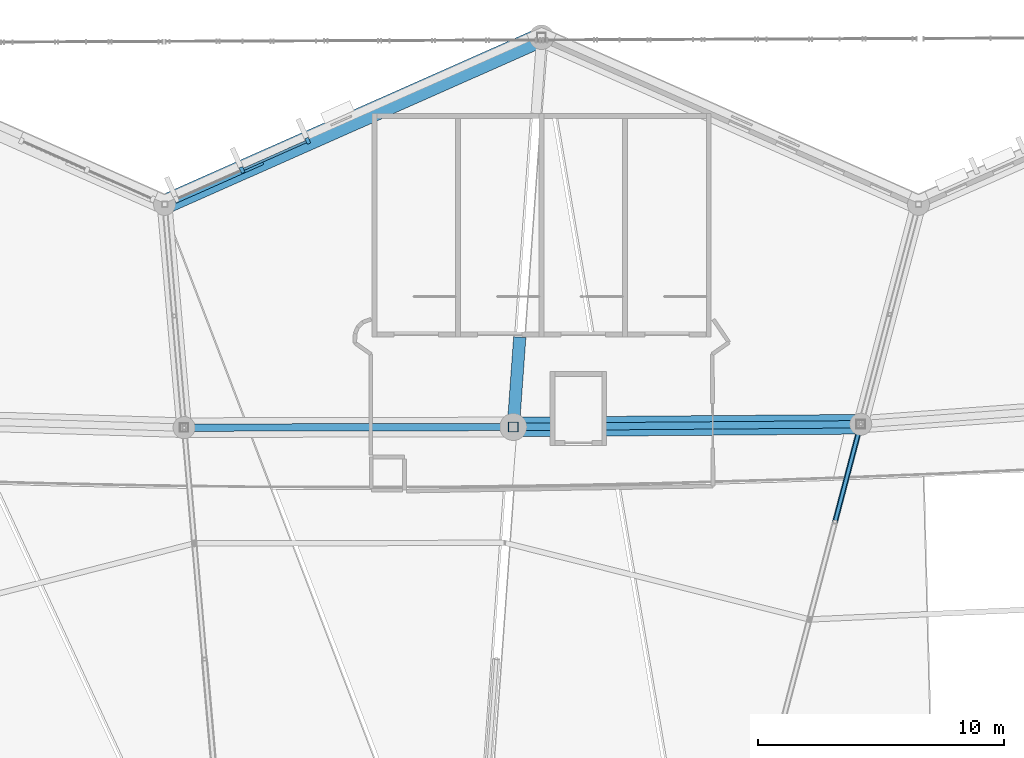
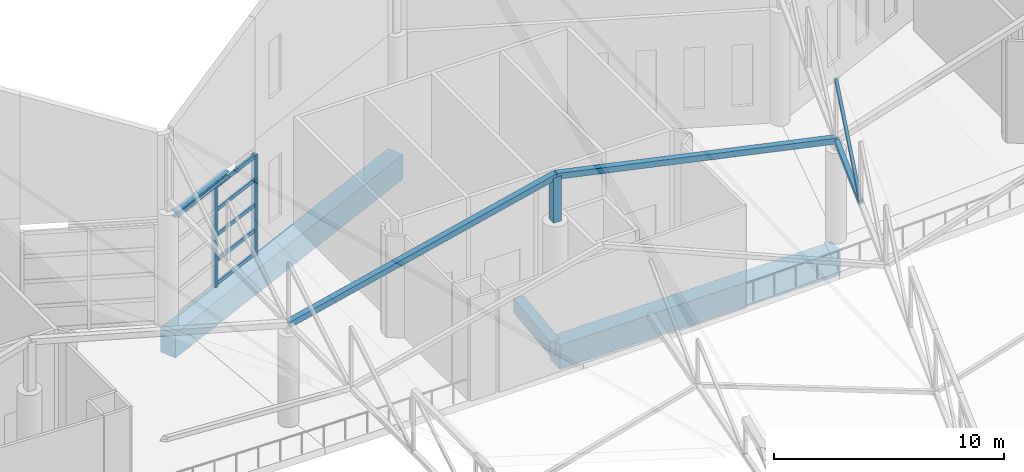
# One storey, part 169 of 344: 12 members, 4 beams, 1 element without a shape of its own.
"""IFC4 building model written with IfcOpenShell, lengths in metres."""

import ifcopenshell
import ifcopenshell.guid

model = None  # the IFC model being written
_history = None  # IfcOwnerHistory: only IFC2X3 demands one
_inside = {}  # id of a spatial element -> (the spatial element, [elements in it])
_under = {}  # id of a project, library or spatial element -> (it, [spatial elements below it])
_declared = {}  # id of a project -> (the project, [libraries it declares])
_typed = {}  # id of a type object -> (the type object, [elements of that type])
_made_of = {}  # id of a material, layer set ... -> (it, [elements and type objects made of it])


def new_model(schema):
    """Start an empty IFC model of exactly this schema.

    Asked for "IFC4X3", IfcOpenShell would pick the latest addendum, in which some entities
    have other attributes; the version numbers below select the first issue.
    IFC2X3 requires an IfcOwnerHistory on every rooted entity: one is made here for all.
    """
    global model, _history
    if schema == "IFC4X3":
        model = ifcopenshell.file(schema_version=(4, 3, 0, 0))
    else:
        model = ifcopenshell.file(schema=schema)
    _inside.clear()
    _under.clear()
    _declared.clear()
    _typed.clear()
    _made_of.clear()
    _history = None
    if model.schema == "IFC2X3":
        org = make("IfcOrganization", Name="unknown")
        user = make(
            "IfcPersonAndOrganization",
            ThePerson=make("IfcPerson", FamilyName="unknown"),
            TheOrganization=org,
        )
        app = make(
            "IfcApplication",
            ApplicationDeveloper=org,
            Version="unknown",
            ApplicationFullName="unknown",
            ApplicationIdentifier="unknown",
        )
        _history = make(
            "IfcOwnerHistory",
            OwningUser=user,
            OwningApplication=app,
            ChangeAction="ADDED",
            CreationDate=0,
        )
    return model


def make(cls, **values):
    """One entity of the class cls with the attributes given. An attribute that is None is left unset."""
    return model.create_entity(
        cls, **{name: value for name, value in values.items() if value is not None}
    )


def rooted(cls, **values):
    """An entity with a GlobalId (a new one), such as an element, a storey or a relation."""
    return make(cls, GlobalId=ifcopenshell.guid.new(), OwnerHistory=_history, **values)


def si_unit(unit_type, name, prefix=None):
    """IfcSIUnit, for example si_unit("LENGTHUNIT", "METRE", prefix="MILLI")."""
    return make("IfcSIUnit", UnitType=unit_type, Prefix=prefix, Name=name)


def assignment(units):
    """IfcUnitAssignment: the units of a project."""
    return None if units is None else make("IfcUnitAssignment", Units=units)


def point(xyz):
    """IfcCartesianPoint."""
    return None if xyz is None else make("IfcCartesianPoint", Coordinates=xyz)


def direction(xyz):
    """IfcDirection."""
    return None if xyz is None else make("IfcDirection", DirectionRatios=xyz)


def frame(location, z_axis=None, x_axis=None):
    """IfcAxis2Placement3D, a coordinate frame: its origin and axes. An axis left out is left unset."""
    return make(
        "IfcAxis2Placement3D",
        Location=point(location),
        Axis=direction(z_axis),
        RefDirection=direction(x_axis),
    )


def frame_2d(location, x_axis=None):
    """IfcAxis2Placement2D, a coordinate frame in the plane: its origin and x axis."""
    return make(
        "IfcAxis2Placement2D", Location=point(location), RefDirection=direction(x_axis)
    )


def origin():
    """The frame at (0, 0, 0) with its axes left unset."""
    return frame((0.0, 0.0, 0.0))


def origin_2d():
    """The frame at (0, 0) in the plane with its x axis left unset."""
    return frame_2d((0.0, 0.0))


def place(relative_to, where):
    """IfcLocalPlacement: puts the frame where relative to a parent placement (None: the world)."""
    return make(
        "IfcLocalPlacement", PlacementRelTo=relative_to, RelativePlacement=where
    )


def context(
    kind, dimensions, precision=None, world=None, true_north=None, identifier=None
):
    """IfcGeometricRepresentationContext, for example the 3D "Model" context."""
    return make(
        "IfcGeometricRepresentationContext",
        ContextIdentifier=identifier,
        ContextType=kind,
        CoordinateSpaceDimension=dimensions,
        Precision=precision,
        WorldCoordinateSystem=world,
        TrueNorth=true_north,
    )


def subcontext(parent, identifier, kind, view, scale=None):
    """IfcGeometricRepresentationSubContext, for example "Body" below "Model"."""
    return make(
        "IfcGeometricRepresentationSubContext",
        ContextIdentifier=identifier,
        ContextType=kind,
        ParentContext=parent,
        TargetScale=scale,
        TargetView=view,
    )


def project(units=None, contexts=None):
    """IfcProject with its units and contexts."""
    return rooted(
        "IfcProject",
        Name="project",
        RepresentationContexts=contexts,
        UnitsInContext=assignment(units),
    )


def spatial(cls, under=None, at=None, **own):
    """A site, building, storey or space (cls), placed at a placement, below another one or the project."""
    s = rooted(cls, ObjectPlacement=at, **own)
    if under is not None:
        _under.setdefault(under.id(), (under, []))[1].append(s)
    return s


def profile(cls, at=None, kind="AREA", **sizes):
    """A parametric profile (cls). Its sizes go by their IFC names, for example OverallWidth=200.0."""
    return make(cls, ProfileType=kind, Position=at, **sizes)


def rectangle(**sizes):
    """IfcRectangleProfileDef."""
    return profile("IfcRectangleProfileDef", **sizes)


def hollow_rectangle(**sizes):
    """IfcRectangleHollowProfileDef."""
    return profile("IfcRectangleHollowProfileDef", **sizes)


def i_section(**sizes):
    """IfcIShapeProfileDef."""
    return profile("IfcIShapeProfileDef", **sizes)


def extrude(swept, where, along, depth):
    """IfcExtrudedAreaSolid: the profile swept, set in the frame where, extruded along a direction by depth."""
    return make(
        "IfcExtrudedAreaSolid",
        SweptArea=swept,
        Position=where,
        ExtrudedDirection=direction(along),
        Depth=depth,
    )


def shape(context_of_items, identifier, shape_type, items):
    """IfcShapeRepresentation: the items that make up one representation, for example the "Body"."""
    return make(
        "IfcShapeRepresentation",
        ContextOfItems=context_of_items,
        RepresentationIdentifier=identifier,
        RepresentationType=shape_type,
        Items=items,
    )


def material(Name=None, Category=None):
    """IfcMaterial."""
    return make("IfcMaterial", Name=Name, Category=Category)


def layer(
    of_material, thickness, ventilated=None, Name=None, Category=None, Priority=None
):
    """IfcMaterialLayer: one layer of a wall or slab, of a material (None: an air gap)."""
    return make(
        "IfcMaterialLayer",
        Material=of_material,
        LayerThickness=thickness,
        IsVentilated=ventilated,
        Name=Name,
        Category=Category,
        Priority=Priority,
    )


def layer_set(layers, Name=None):
    """IfcMaterialLayerSet."""
    return make("IfcMaterialLayerSet", MaterialLayers=layers, LayerSetName=Name)


def material_profile(
    of_material, cross_section, Name=None, Category=None, Priority=None
):
    """IfcMaterialProfile: a cross section and its material."""
    return make(
        "IfcMaterialProfile",
        Name=Name,
        Material=of_material,
        Profile=cross_section,
        Priority=Priority,
        Category=Category,
    )


def profile_set(profiles, Name=None, composite=None):
    """IfcMaterialProfileSet."""
    return make(
        "IfcMaterialProfileSet",
        Name=Name,
        MaterialProfiles=profiles,
        CompositeProfile=composite,
    )


def made_of(thing, what):
    """Note that an element or type object is made of a material, layer set ...; save() writes the relation."""
    if what is not None:
        _made_of.setdefault(what.id(), (what, []))[1].append(thing)
    return thing


def type_object(cls, material=None, **own):
    """A type object (cls), such as IfcWallType, which elements share."""
    return made_of(rooted(cls, **own), material)


def element(
    cls,
    number,
    at=None,
    inside=None,
    cuts=None,
    type_object=None,
    material=None,
    context=None,
    identifier="Body",
    shape_type=None,
    held_by="IfcProductDefinitionShape",
    body=None,
    shapes=None,
    **own,
):
    """One element of the class cls, such as IfcWall. Its Tag is "e" and its number.

    at: its placement. inside: the storey or other place that contains it. cuts: it is an
    opening in that element (IfcRelVoidsElement). A single representation is given by context,
    identifier, shape_type and body (its items); several are given by shapes. held_by: the class
    of the entity that holds the representations. save() writes the other relations.
    """
    e = rooted(cls, Tag="e%d" % number, ObjectPlacement=at, **own)
    if body is not None:
        shapes = [shape(context, identifier, shape_type, body)]
    if shapes is not None:
        e.Representation = make(held_by, Representations=shapes)
    if inside is not None:
        _inside.setdefault(inside.id(), (inside, []))[1].append(e)
    if cuts is not None:
        rooted(
            "IfcRelVoidsElement", RelatingBuildingElement=cuts, RelatedOpeningElement=e
        )
    if type_object is not None:
        _typed.setdefault(type_object.id(), (type_object, []))[1].append(e)
    return made_of(e, material)


def aggregate(whole, parts):
    """IfcRelAggregates: a whole, such as a stair, and the parts it consists of."""
    return rooted("IfcRelAggregates", RelatingObject=whole, RelatedObjects=parts)


def save(model, path):
    """Write the relations noted so far, then the file.

    IfcRelAggregates (storeys below a building ...), IfcRelContainedInSpatialStructure (elements
    in a storey), IfcRelDefinesByType, IfcRelAssociatesMaterial and IfcRelDeclares: one each for
    every whole, place, type object, material and project.
    """
    for whole, parts in _under.values():
        aggregate(whole, parts)
    for where, things in _inside.values():
        rooted(
            "IfcRelContainedInSpatialStructure",
            RelatedElements=things,
            RelatingStructure=where,
        )
    for kind, things in _typed.values():
        rooted("IfcRelDefinesByType", RelatedObjects=things, RelatingType=kind)
    for what, things in _made_of.values():
        rooted("IfcRelAssociatesMaterial", RelatedObjects=things, RelatingMaterial=what)
    for by, libraries in _declared.values():
        rooted("IfcRelDeclares", RelatingContext=by, RelatedDefinitions=libraries)
    model.write(path)


model = new_model("IFC4")

# Units and contexts
model_context = context("Model", 3, precision=1e-05, world=origin(), true_north=direction((0.0, 1.0)))
body_context = subcontext(model_context, "Body", "Model", "MODEL_VIEW")
ifc_project = project(units=[si_unit("LENGTHUNIT", "METRE"), si_unit("AREAUNIT", "SQUARE_METRE"), si_unit("VOLUMEUNIT", "CUBIC_METRE"), si_unit("PLANEANGLEUNIT", "RADIAN"), si_unit("MASSUNIT", "GRAM", prefix="KILO")], contexts=[model_context])

# Site, building, storey
site_placement = place(None, origin())
site = spatial("IfcSite", under=ifc_project, at=site_placement, CompositionType="ELEMENT")
building_placement = place(site_placement, origin())
building = spatial("IfcBuilding", under=site, at=building_placement, Name="Meseta Stadium", CompositionType="ELEMENT")
storey_placement = place(building_placement, frame((0.0, 0.0, 24.0)))
storey = spatial("IfcBuildingStorey", under=building, at=storey_placement, Name="L04", CompositionType="ELEMENT", Elevation=24.0)

# Beam
ifc_material_1 = material(Name="Steel S355", Category="steel")
ifc_material_profile_1 = material_profile(ifc_material_1, i_section(OverallWidth=0.300048828125, OverallDepth=0.300048828125, WebThickness=0.010986328125, FlangeThickness=0.01904296875, FilletRadius=0.027099609375, at=origin_2d()), Name="HEB 300")
ifc_profile_set_1 = profile_set([ifc_material_profile_1], Name="Steel S355")
beam_type_1 = type_object("IfcBeamType", Name="Atrium lintel beam HEB 300", PredefinedType="BEAM", material=ifc_profile_set_1)
beam_1_placement = place(storey_placement, frame((-7.255615234375, 98.7822265625, 5.5), z_axis=(0.914141668721, 0.405394880959, 0.0), x_axis=(-0.405394880959, 0.914141668721, 0.0)))
element("IfcBeam", 1, at=beam_1_placement, inside=storey, type_object=beam_type_1, Name="Atrium lintel beam F18", PredefinedType="BEAM", context=body_context, shape_type="SweptSolid", body=[
    extrude(i_section(OverallWidth=0.300048828125, OverallDepth=0.300048828125, WebThickness=0.010986328125, FlangeThickness=0.01904296875, FilletRadius=0.027099609375, at=origin_2d()), origin(), (0.0, 0.0, 1.0), 3.900146484375),
])

# Curtain wall, members
ifc_material_2 = material(Name="Steel S355", Category="steel")
ifc_layer = layer(ifc_material_2, 0.300048828125)
ifc_layer_set = layer_set([ifc_layer], Name="Valley atrium curtain wall")
curtain_wall_type = type_object("IfcCurtainWallType", Name="Valley atrium curtain wall", PredefinedType="NOTDEFINED", material=ifc_layer_set)
curtain_wall_placement = place(storey_placement, origin())
curtain_wall = element("IfcCurtainWall", 2, at=curtain_wall_placement, inside=storey, type_object=curtain_wall_type, Name="Valley atrium glazing F18", PredefinedType="NOTDEFINED")
ifc_material_3 = material(Name="Steel S355", Category="steel")
ifc_material_profile_2 = material_profile(ifc_material_3, rectangle(XDim=0.25, YDim=0.14990234375, at=origin_2d()), Name="CW 250x150")
ifc_profile_set_2 = profile_set([ifc_material_profile_2], Name="Steel S355")
member_type_1 = type_object("IfcMemberType", Name="CW mullion bar 250x150", PredefinedType="MULLION", material=ifc_profile_set_2)
member_1_placement = place(storey_placement, frame((-1.83935546875, 101.184326171875, 0.0), z_axis=(0.0, 0.0, 1.0), x_axis=(0.405400794526, -0.914139046206, 0.0)))
member_1 = element("IfcMember", 3, at=member_1_placement, type_object=member_type_1, Name="CWA mullion 1", PredefinedType="MULLION", context=body_context, shape_type="SweptSolid", body=[
    extrude(rectangle(XDim=0.25, YDim=0.14990234375, at=origin_2d()), origin(), (0.0, 0.0, 1.0), 5.35009765625),
])
member_2_placement = place(storey_placement, frame((-4.51318359375, 99.99853515625, 0.0), z_axis=(0.0, 0.0, 1.0), x_axis=(0.405400794526, -0.914139046206, 0.0)))
member_2 = element("IfcMember", 4, at=member_2_placement, type_object=member_type_1, Name="CWA mullion 2", PredefinedType="MULLION", context=body_context, shape_type="SweptSolid", body=[
    extrude(rectangle(XDim=0.25, YDim=0.14990234375, at=origin_2d()), origin(), (0.0, 0.0, 1.0), 5.35009765625),
])
ifc_material_4 = material(Name="Steel S355", Category="steel")
ifc_material_profile_3 = material_profile(ifc_material_4, hollow_rectangle(XDim=0.10009765625, YDim=0.199951171875, WallThickness=0.008056640625, at=origin_2d()), Name="RHS 200x100x8")
ifc_profile_set_3 = profile_set([ifc_material_profile_3], Name="Steel S355")
member_type_2 = type_object("IfcMemberType", Name="CW transom RHS 200x100x8", PredefinedType="USERDEFINED", material=ifc_profile_set_3)
member_3_placement = place(storey_placement, frame((-1.907958984375, 101.15380859375, 0.10009765625), z_axis=(-0.914130540293, -0.405419973982, 0.0), x_axis=(0.405419973982, -0.914130540293, 0.0)))
member_3 = element("IfcMember", 5, at=member_3_placement, type_object=member_type_2, Name="CWA transom 1.1", ObjectType="TRANSOM", PredefinedType="USERDEFINED", context=body_context, shape_type="SweptSolid", body=[
    extrude(hollow_rectangle(XDim=0.10009765625, YDim=0.199951171875, WallThickness=0.008056640625, at=origin_2d()), origin(), (0.0, 0.0, 1.0), 2.77490234375),
])
member_4_placement = place(storey_placement, frame((-1.907958984375, 101.15380859375, 1.33740234375), z_axis=(-0.914130540293, -0.405419973982, 0.0), x_axis=(0.405419973982, -0.914130540293, 0.0)))
member_4 = element("IfcMember", 6, at=member_4_placement, type_object=member_type_2, Name="CWA transom 1.2", ObjectType="TRANSOM", PredefinedType="USERDEFINED", context=body_context, shape_type="SweptSolid", body=[
    extrude(hollow_rectangle(XDim=0.10009765625, YDim=0.199951171875, WallThickness=0.008056640625, at=origin_2d()), origin(), (0.0, 0.0, 1.0), 2.77490234375),
])
member_5_placement = place(storey_placement, frame((-1.907958984375, 101.15380859375, 2.675048828125), z_axis=(-0.914130540293, -0.405419973982, 0.0), x_axis=(0.405419973982, -0.914130540293, 0.0)))
member_5 = element("IfcMember", 7, at=member_5_placement, type_object=member_type_2, Name="CWA transom 1.3", ObjectType="TRANSOM", PredefinedType="USERDEFINED", context=body_context, shape_type="SweptSolid", body=[
    extrude(hollow_rectangle(XDim=0.10009765625, YDim=0.199951171875, WallThickness=0.008056640625, at=origin_2d()), origin(), (0.0, 0.0, 1.0), 2.77490234375),
])
member_6_placement = place(storey_placement, frame((-1.907958984375, 101.15380859375, 4.012451171875), z_axis=(-0.914130540293, -0.405419973982, 0.0), x_axis=(0.405419973982, -0.914130540293, 0.0)))
member_6 = element("IfcMember", 8, at=member_6_placement, type_object=member_type_2, Name="CWA transom 1.4", ObjectType="TRANSOM", PredefinedType="USERDEFINED", context=body_context, shape_type="SweptSolid", body=[
    extrude(hollow_rectangle(XDim=0.10009765625, YDim=0.199951171875, WallThickness=0.008056640625, at=origin_2d()), origin(), (0.0, 0.0, 1.0), 2.77490234375),
])
member_7_placement = place(storey_placement, frame((-1.907958984375, 101.15380859375, 5.25), z_axis=(-0.914130540293, -0.405419973982, 0.0), x_axis=(0.405419973982, -0.914130540293, 0.0)))
member_7 = element("IfcMember", 9, at=member_7_placement, type_object=member_type_2, Name="CWA transom 1.5", ObjectType="TRANSOM", PredefinedType="USERDEFINED", context=body_context, shape_type="SweptSolid", body=[
    extrude(hollow_rectangle(XDim=0.10009765625, YDim=0.199951171875, WallThickness=0.008056640625, at=origin_2d()), origin(), (0.0, 0.0, 1.0), 2.77490234375),
])
aggregate(curtain_wall, [member_1, member_2, member_3, member_4, member_5, member_6, member_7])

# Beams
ifc_material_5 = material(Name="Concrete C40/50", Category="concrete")
ifc_material_profile_4 = material_profile(ifc_material_5, rectangle(XDim=0.5, YDim=0.75, at=origin_2d()), Name="RC 500x750")
ifc_profile_set_4 = profile_set([ifc_material_profile_4], Name="Concrete C40/50")
beam_type_2 = type_object("IfcBeamType", Name="RC beam 500x750", PredefinedType="BEAM", material=ifc_profile_set_4)
beam_2_placement = place(storey_placement, frame((6.51708984375, 89.54638671875, -0.77490234375), z_axis=(0.072312695021, 0.997382010134, 0.0), x_axis=(-0.997382010134, 0.072312695021, 0.0)))
element("IfcBeam", 10, at=beam_2_placement, inside=storey, type_object=beam_type_2, Name="L04 radial beam frame 18 line P to R", PredefinedType="BEAM", context=body_context, shape_type="SweptSolid", body=[
    extrude(rectangle(XDim=0.5, YDim=0.75, at=origin_2d()), origin(), (0.0, 0.0, 1.0), 3.6630859375),
])
ifc_material_6 = material(Name="Concrete C40/50", Category="concrete")
ifc_material_profile_5 = material_profile(ifc_material_6, rectangle(XDim=0.800048828125, YDim=1.300048828125, at=origin_2d()), Name="RC 800x1300")
ifc_profile_set_5 = profile_set([ifc_material_profile_5], Name="Concrete C40/50")
beam_type_3 = type_object("IfcBeamType", Name="RC beam 800x1300", PredefinedType="BEAM", material=ifc_profile_set_5)
beam_3_placement = place(storey_placement, frame((20.649658203125, 89.65625, -1.050048828125), z_axis=(-0.999969785649, -0.007773531251, 0.0), x_axis=(0.007773531251, -0.999969785649, 0.0)))
element("IfcBeam", 11, at=beam_3_placement, inside=storey, type_object=beam_type_3, Name="L04 ring beam frame 17 line P", PredefinedType="BEAM", context=body_context, shape_type="SweptSolid", body=[
    extrude(rectangle(XDim=0.800048828125, YDim=1.300048828125, at=origin_2d()), origin(), (0.0, 0.0, 1.0), 14.133056640625),
])
beam_4_placement = place(storey_placement, frame((7.666748046875, 105.39990234375, -1.050048828125), z_axis=(-0.914144956099, -0.405387468033, 0.0), x_axis=(0.405387468033, -0.914144956099, 0.0)))
element("IfcBeam", 12, at=beam_4_placement, inside=storey, type_object=beam_type_3, Name="L04 ring beam frame 18 line R", PredefinedType="BEAM", context=body_context, shape_type="SweptSolid", body=[
    extrude(rectangle(XDim=0.800048828125, YDim=1.300048828125, at=origin_2d()), origin(), (0.0, 0.0, 1.0), 16.773681640625),
])

# Members
ifc_material_7 = material(Name="Steel S355", Category="steel")
ifc_material_profile_6 = material_profile(ifc_material_7, hollow_rectangle(XDim=0.139892578125, YDim=0.139892578125, WallThickness=0.0048828125, at=origin_2d()), Name="SHS 140x140x5")
ifc_profile_set_6 = profile_set([ifc_material_profile_6], Name="Steel S355")
member_type_3 = type_object("IfcMemberType", Name="SHS 140x140x5 diagonal", PredefinedType="BRACE", material=ifc_profile_set_6)
member_8_placement = place(storey_placement, frame((19.606201171875, 85.686279296875, 4.674072265625), z_axis=(0.187138528174, 0.711993356724, 0.676789946183), x_axis=(-0.967150765776, 0.254203454457, 0.0)))
element("IfcMember", 13, at=member_8_placement, inside=storey, type_object=member_type_3, Name="ROOF TRUSS RT-17 diagonal", PredefinedType="BRACE", context=body_context, shape_type="SweptSolid", body=[
    extrude(hollow_rectangle(XDim=0.139892578125, YDim=0.139892578125, WallThickness=0.0048828125, at=origin_2d()), origin(), (0.0, 0.0, 1.0), 5.575927734375),
])
ifc_material_8 = material(Name="Steel S355", Category="steel")
ifc_material_profile_7 = material_profile(ifc_material_8, hollow_rectangle(XDim=0.219970703125, YDim=0.219970703125, WallThickness=0.008056640625, at=origin_2d()), Name="SHS 220x220x8")
ifc_profile_set_7 = profile_set([ifc_material_profile_7], Name="Steel S355")
member_type_4 = type_object("IfcMemberType", Name="SHS 220x220x8 bottom chord", PredefinedType="CHORD", material=ifc_profile_set_7)
member_9_placement = place(storey_placement, frame((19.606201171875, 85.686279296875, 4.674072265625), z_axis=(0.25175622822, 0.9578399689, 0.138424692634), x_axis=(-0.967150765776, 0.254203454457, 0.0)))
element("IfcMember", 14, at=member_9_placement, inside=storey, type_object=member_type_4, Name="ROOF TRUSS RT-17 bottom chord", PredefinedType="CHORD", context=body_context, shape_type="SweptSolid", body=[
    extrude(hollow_rectangle(XDim=0.219970703125, YDim=0.219970703125, WallThickness=0.008056640625, at=origin_2d()), origin(), (0.0, 0.0, 1.0), 4.144775390625),
])
ifc_material_9 = material(Name="Steel S355", Category="steel")
ifc_material_profile_8 = material_profile(ifc_material_9, hollow_rectangle(XDim=0.300048828125, YDim=0.300048828125, WallThickness=0.010009765625, at=origin_2d()), Name="SHS 300x300x10")
ifc_profile_set_8 = profile_set([ifc_material_profile_8], Name="Steel S355")
member_type_5 = type_object("IfcMemberType", Name="SHS 300x300x10 pivot strut", PredefinedType="STRUT", material=ifc_profile_set_8)
member_10_placement = place(storey_placement, frame((20.649658203125, 89.65625, 5.247802734375), z_axis=(-0.976325727353, -0.007589727872, 0.216172315848), x_axis=(0.007773531251, -0.999969785649, 0.0)))
element("IfcMember", 15, at=member_10_placement, inside=storey, type_object=member_type_5, Name="ROOF PIVOT STRUT RT-17/18", PredefinedType="STRUT", context=body_context, shape_type="SweptSolid", body=[
    extrude(hollow_rectangle(XDim=0.300048828125, YDim=0.300048828125, WallThickness=0.010009765625, at=origin_2d()), origin(), (0.0, 0.0, 1.0), 14.475341796875),
])
member_11_placement = place(storey_placement, frame((6.51708984375, 89.54638671875, 8.376953125), z_axis=(-0.973184392899, -0.00207638226, -0.230017012535), x_axis=(0.002133591073, -0.999997723892, 0.0)))
element("IfcMember", 16, at=member_11_placement, inside=storey, type_object=member_type_5, Name="ROOF PIVOT STRUT RT-18/19", PredefinedType="STRUT", context=body_context, shape_type="SweptSolid", body=[
    extrude(hollow_rectangle(XDim=0.300048828125, YDim=0.300048828125, WallThickness=0.010009765625, at=origin_2d()), origin(), (0.0, 0.0, 1.0), 13.7568359375),
])
ifc_material_10 = material(Name="Steel S355", Category="steel")
ifc_material_profile_9 = material_profile(ifc_material_10, hollow_rectangle(XDim=0.39990234375, YDim=0.39990234375, WallThickness=0.01416015625, at=origin_2d()), Name="SHS 400x400x14.2")
ifc_profile_set_9 = profile_set([ifc_material_profile_9], Name="Steel S355")
member_type_6 = type_object("IfcMemberType", Name="SHS 400x400x14.2 pedestal", PredefinedType="POST", material=ifc_profile_set_9)
member_12_placement = place(storey_placement, frame((6.51708984375, 89.54638671875, 6.0), z_axis=(0.0, 0.0, 1.0), x_axis=(1.0, 0.0, 0.0)))
element("IfcMember", 17, at=member_12_placement, inside=storey, type_object=member_type_6, Name="ROOF TRUSS RT-18 pedestal", PredefinedType="POST", context=body_context, shape_type="SweptSolid", body=[
    extrude(hollow_rectangle(XDim=0.39990234375, YDim=0.39990234375, WallThickness=0.01416015625, at=origin_2d()), origin(), (0.0, 0.0, 1.0), 2.376953125),
])

save(model, "model.ifc")
